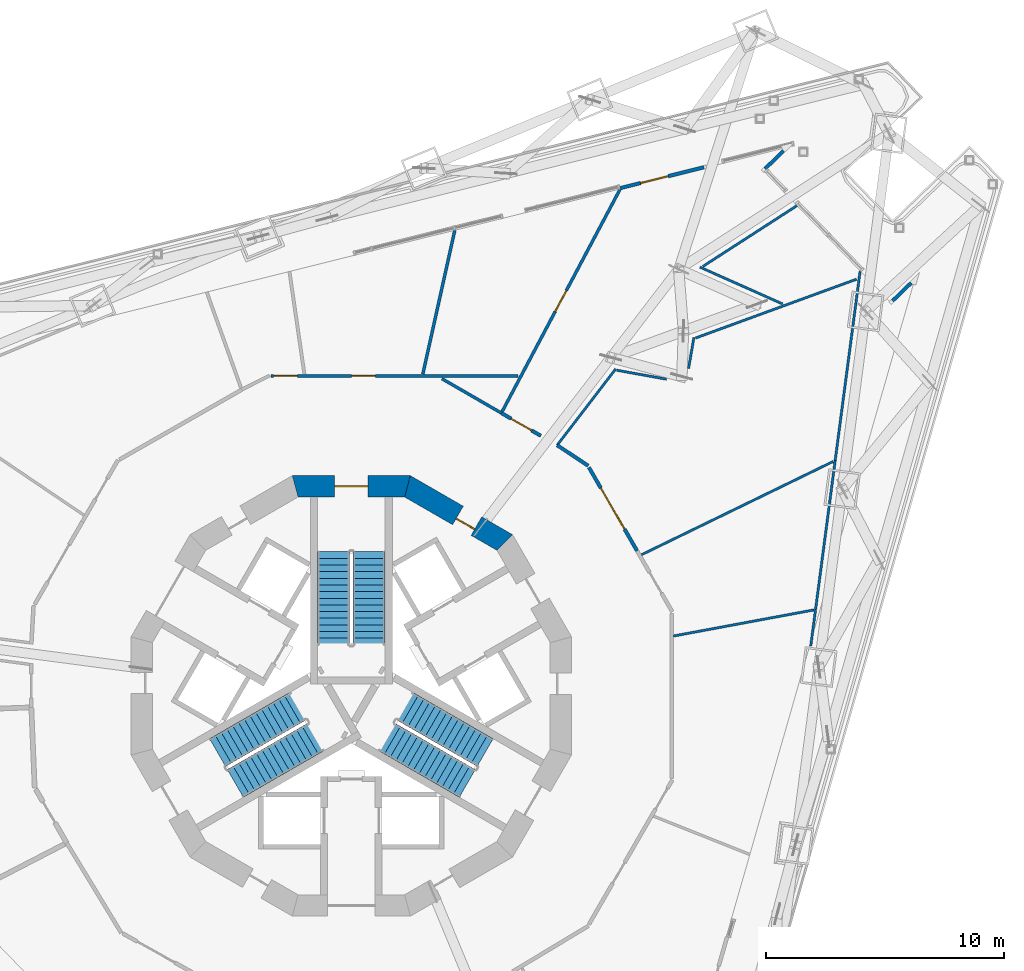
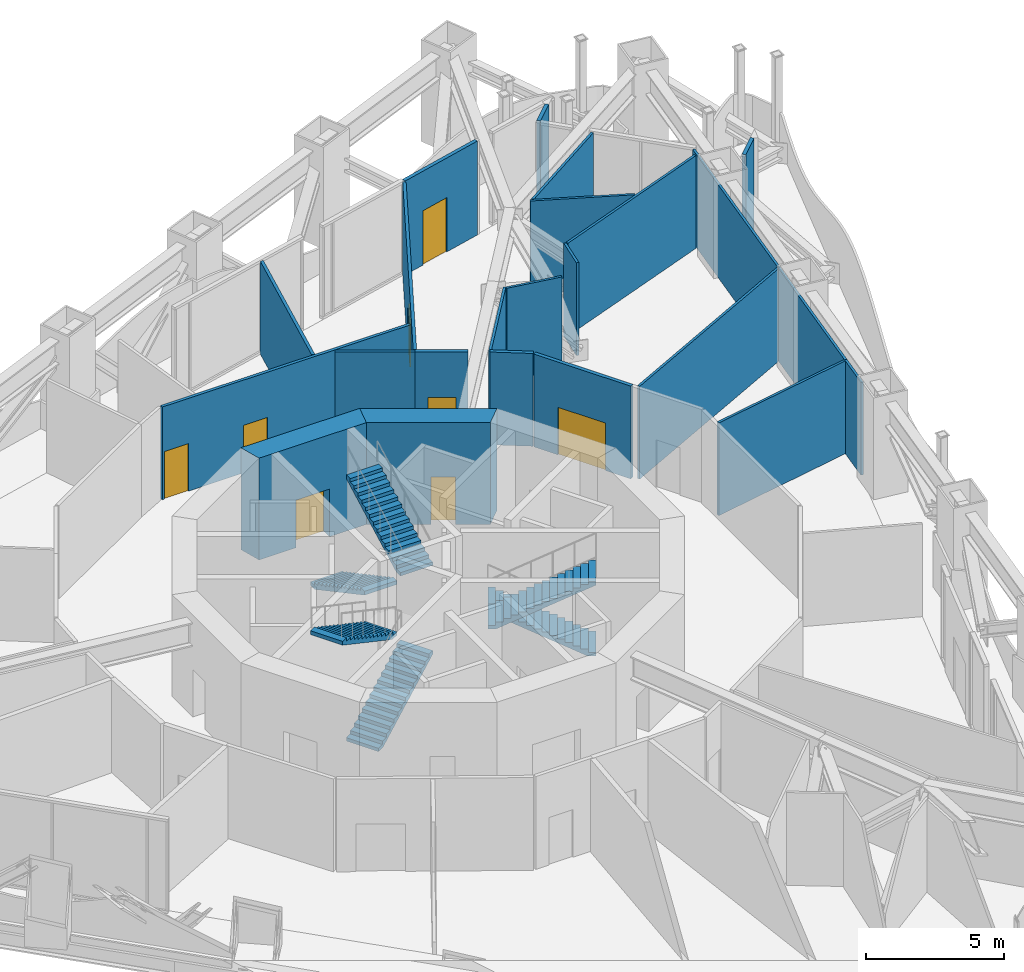
# One storey, part 15 of 26: 23 walls, 8 doors, 6 stair flights, 8 openings, 3 elements without a shape of their own.
"""IFC4 building model written with IfcOpenShell, lengths in metres."""

from ifc_helpers import new_model, si_unit, direction, frame, frame_2d, origin, place, context, subcontext, project, spatial, polyline, rectangle, outline, extrude, material, layer, layer_set, type_object, element, fill, aggregate, save


model = new_model("IFC4")

# Units and contexts
model_context = context("Model", 3, precision=1e-05, world=origin(), true_north=direction((0.0, 1.0)))
body_context = subcontext(model_context, "Body", "Model", "MODEL_VIEW")
ifc_project = project(units=[si_unit("LENGTHUNIT", "METRE"), si_unit("AREAUNIT", "SQUARE_METRE"), si_unit("VOLUMEUNIT", "CUBIC_METRE"), si_unit("PLANEANGLEUNIT", "RADIAN"), si_unit("MASSUNIT", "GRAM", prefix="KILO")], contexts=[model_context])

# Site, building, storey
site_placement = place(None, origin())
site = spatial("IfcSite", under=ifc_project, at=site_placement, CompositionType="ELEMENT")
building_placement = place(site_placement, origin())
building = spatial("IfcBuilding", under=site, at=building_placement, Name="Trine Commons Tower", CompositionType="ELEMENT")
storey_placement = place(building_placement, frame((0.0, 0.0, 119.699951171875)))
storey = spatial("IfcBuildingStorey", under=building, at=storey_placement, Name="L30", CompositionType="ELEMENT", Elevation=119.699951171875)

# Wall, opening, door
ifc_material_1 = material(Name="Plasterboard on steel stud", Category="steel")
ifc_layer_1 = layer(ifc_material_1, 0.14990234375)
ifc_layer_set_1 = layer_set([ifc_layer_1], Name="Plasterboard on steel stud")
wall_type_1 = type_object("IfcWallType", Name="Compartment wall 150 mm, EI 60", PredefinedType="PARTITIONING", material=ifc_layer_set_1)
wall_1_placement = place(storey_placement, frame((86.317138671875, 74.409912109375, 0.0), z_axis=(0.0, 0.0, 1.0), x_axis=(0.866066996022, -0.49992795321, 0.0)))
wall_1 = element("IfcWall", 1, at=wall_1_placement, inside=storey, type_object=wall_type_1, Name="Partition A30046", PredefinedType="PARTITIONING", context=body_context, shape_type="SweptSolid", body=[
    extrude(rectangle(XDim=1.919677734375, YDim=0.14990234375, at=frame_2d((0.9599609375, 0.0))), origin(), (0.0, 0.0, 1.0), 4.10009765625),
])
opening_1_placement = place(wall_1_placement, frame((0.477783203125, 0.0, 0.0)))
opening_1 = element("IfcOpeningElement", 2, at=opening_1_placement, cuts=wall_1, Name="Opening D-A3012", PredefinedType="OPENING", context=body_context, shape_type="SweptSolid", body=[
    extrude(rectangle(XDim=1.0, YDim=2.10009765625, at=frame_2d((0.5, 1.050048828125))), frame((0.0, 0.0849609375, 0.0), z_axis=(0.0, -1.0, 0.0), x_axis=(1.0, 0.0, 0.0)), (0.0, 0.0, 1.0), 0.169921875),
])
ifc_material_2 = material(Name="Timber fire door set", Category="wood")
door_type_1 = type_object("IfcDoorType", Name="Double swing door 1000x2100, FD30S", OperationType="DOUBLE_DOOR_DOUBLE_SWING", PredefinedType="DOOR", material=ifc_material_2)
door_1_placement = place(opening_1_placement, origin())
door_1 = element("IfcDoor", 3, at=door_1_placement, inside=storey, type_object=door_type_1, Name="Door D-A3012", OperationType="DOUBLE_DOOR_DOUBLE_SWING", OverallHeight=2.10009765625, OverallWidth=1.0, PredefinedType="DOOR", context=body_context, shape_type="SweptSolid", body=[
    extrude(rectangle(XDim=1.0, YDim=2.10009765625, at=frame_2d((0.5, 1.050048828125))), frame((0.0, 0.02490234375, 0.0), z_axis=(0.0, -1.0, 0.0), x_axis=(1.0, 0.0, 0.0)), (0.0, 0.0, 1.0), 0.050048828125),
])
fill(opening_1, door_1)

# Wall
wall_2_placement = place(storey_placement, frame((88.66552734375, 73.05419921875, 0.0), z_axis=(0.0, 0.0, 1.0), x_axis=(0.834262705659, -0.551367153489, 0.0)))
element("IfcWall", 4, at=wall_2_placement, inside=storey, type_object=wall_type_1, Name="Partition A30050", PredefinedType="PARTITIONING", context=body_context, shape_type="SweptSolid", body=[
    extrude(rectangle(XDim=1.57421875, YDim=0.14990234375, at=frame_2d((0.787109375, 0.0))), origin(), (0.0, 0.0, 1.0), 4.10009765625),
])

# Wall, opening, door
wall_3_placement = place(storey_placement, frame((92.03173828125, 68.606201171875, 0.0), z_axis=(0.0, 0.0, 1.0), x_axis=(-0.500027986443, 0.866009245201, 0.0)))
wall_3 = element("IfcWall", 5, at=wall_3_placement, inside=storey, type_object=wall_type_1, Name="Partition A30054", PredefinedType="PARTITIONING", context=body_context, shape_type="SweptSolid", body=[
    extrude(rectangle(XDim=4.057861328125, YDim=0.14990234375, at=frame_2d((2.02880859375, 0.0))), origin(), (0.0, 0.0, 1.0), 4.10009765625),
])
opening_2_placement = place(wall_3_placement, frame((1.054931640625, 0.0, 0.0)))
opening_2 = element("IfcOpeningElement", 6, at=opening_2_placement, cuts=wall_3, Name="Opening D-A3016", PredefinedType="OPENING", context=body_context, shape_type="SweptSolid", body=[
    extrude(rectangle(XDim=2.0, YDim=2.10009765625, at=frame_2d((1.0, 1.050048828125))), frame((0.0, 0.0849609375, 0.0), z_axis=(0.0, -1.0, 0.0), x_axis=(1.0, 0.0, 0.0)), (0.0, 0.0, 1.0), 0.169921875),
])
door_type_2 = type_object("IfcDoorType", Name="Double swing door 2000x2100, FD30S", OperationType="DOUBLE_DOOR_DOUBLE_SWING", PredefinedType="DOOR", material=ifc_material_2)
door_2_placement = place(opening_2_placement, origin())
door_2 = element("IfcDoor", 7, at=door_2_placement, inside=storey, type_object=door_type_2, Name="Door D-A3016", OperationType="DOUBLE_DOOR_DOUBLE_SWING", OverallHeight=2.10009765625, OverallWidth=2.0, PredefinedType="DOOR", context=body_context, shape_type="SweptSolid", body=[
    extrude(rectangle(XDim=2.0, YDim=2.10009765625, at=frame_2d((1.0, 1.050048828125))), frame((0.0, 0.02490234375, 0.0), z_axis=(0.0, -1.0, 0.0), x_axis=(1.0, 0.0, 0.0)), (0.0, 0.0, 1.0), 0.050048828125),
])
fill(opening_2, door_2)

ifc_material_3 = material(Name="Aluminium-framed insulated wall panel", Category="aluminium")
ifc_layer_2 = layer(ifc_material_3, 0.14990234375)
ifc_layer_set_2 = layer_set([ifc_layer_2], Name="Aluminium-framed insulated wall panel")
wall_type_2 = type_object("IfcWallType", Name="Glazed entrance wall 150, EI 60", PredefinedType="SOLIDWALL", material=ifc_layer_set_2)
wall_4_placement = place(storey_placement, frame((91.31201171875, 83.87548828125, 0.0), z_axis=(0.0, 0.0, 1.0), x_axis=(0.970300138937, 0.241904196696, 0.0)))
wall_4 = element("IfcWall", 8, at=wall_4_placement, inside=storey, type_object=wall_type_2, Name="Glazed entrance wall L30 F1 12", PredefinedType="SOLIDWALL", context=body_context, shape_type="SweptSolid", body=[
    extrude(rectangle(XDim=3.639404296875, YDim=0.14990234375, at=frame_2d((1.81982421875, 0.0))), origin(), (0.0, 0.0, 1.0), 4.150146484375),
])
opening_3_placement = place(wall_4_placement, frame((0.89404296875, 0.0, 0.0)))
opening_3 = element("IfcOpeningElement", 9, at=opening_3_placement, cuts=wall_4, Name="Opening SD-L30-F1-12", PredefinedType="OPENING", context=body_context, shape_type="SweptSolid", body=[
    extrude(rectangle(XDim=1.199951171875, YDim=2.39990234375, at=frame_2d((0.60009765625, 1.199951171875))), frame((0.0, 0.0849609375, 0.0), z_axis=(0.0, -1.0, 0.0), x_axis=(1.0, 0.0, 0.0)), (0.0, 0.0, 1.0), 0.169921875),
])
ifc_material_4 = material(Name="Anodised aluminium frame with double glazing", Category="aluminium")
door_type_3 = type_object("IfcDoorType", Name="Sliding door 1200x2400", OperationType="SLIDING_TO_LEFT", PredefinedType="DOOR", material=ifc_material_4)
door_3_placement = place(opening_3_placement, origin())
door_3 = element("IfcDoor", 10, at=door_3_placement, inside=storey, type_object=door_type_3, Name="Loggia door L30 F1 12", OperationType="SLIDING_TO_LEFT", OverallHeight=2.39990234375, OverallWidth=1.199951171875, PredefinedType="DOOR", context=body_context, shape_type="SweptSolid", body=[
    extrude(rectangle(XDim=1.199951171875, YDim=2.39990234375, at=frame_2d((0.60009765625, 1.199951171875))), frame((0.0, 0.02490234375, 0.0), z_axis=(0.0, -1.0, 0.0), x_axis=(1.0, 0.0, 0.0)), (0.0, 0.0, 1.0), 0.050048828125),
])
fill(opening_3, door_3)

# Walls
ifc_layer_3 = layer(ifc_material_3, 0.14990234375)
ifc_layer_set_3 = layer_set([ifc_layer_3], Name="Aluminium-framed insulated wall panel")
wall_type_3 = type_object("IfcWallType", Name="Glazed frame wall 150, EI 60", PredefinedType="SOLIDWALL", material=ifc_layer_set_3)
wall_5_placement = place(storey_placement, frame((98.3076171875, 85.552490234375, 0.0), z_axis=(0.0, 0.0, 1.0), x_axis=(-0.719251336278, -0.694749966004, 0.0)))
element("IfcWall", 11, at=wall_5_placement, inside=storey, type_object=wall_type_3, Name="Glazed frame wall L30 R5", PredefinedType="SOLIDWALL", context=body_context, shape_type="SweptSolid", body=[
    extrude(outline(polyline([(0.1494140625, 0.074951171875), (0.1494140625, -0.074951171875), (1.235107421875, -0.074951171875), (1.235107421875, 0.074951171875), (0.1494140625, 0.074951171875)])), origin(), (0.0, 0.0, 1.0), 4.150146484375),
])
wall_6_placement = place(storey_placement, frame((102.709716796875, 79.0576171875, 0.0), z_axis=(0.0, 0.0, 1.0), x_axis=(0.719342032924, 0.694656058542, 0.0)))
element("IfcWall", 12, at=wall_6_placement, inside=storey, type_object=wall_type_3, Name="Glazed frame wall L30 R7", PredefinedType="SOLIDWALL", context=body_context, shape_type="SweptSolid", body=[
    extrude(outline(polyline([(0.110107421875, 0.074951171875), (0.110107421875, -0.074951171875), (1.19580078125, -0.074951171875), (1.19580078125, 0.074951171875), (0.110107421875, 0.074951171875)])), origin(), (0.0, 0.0, 1.0), 4.150146484375),
])
ifc_layer_4 = layer(ifc_material_1, 0.10009765625)
ifc_layer_set_4 = layer_set([ifc_layer_4], Name="Plasterboard on steel stud")
wall_type_4 = type_object("IfcWallType", Name="Partition wall 100 mm stud, not rated", PredefinedType="PARTITIONING", material=ifc_layer_set_4)
wall_7_placement = place(storey_placement, frame((88.666748046875, 73.0556640625, 0.0), z_axis=(0.0, 0.0, 1.0), x_axis=(0.608781758602, 0.793337740432, 0.0)))
element("IfcWall", 13, at=wall_7_placement, inside=storey, type_object=wall_type_4, Name="Partition A30051", PredefinedType="PARTITIONING", context=body_context, shape_type="SweptSolid", body=[
    extrude(rectangle(XDim=4.05322265625, YDim=0.10009765625, at=frame_2d((2.026611328125, 0.0))), origin(), (0.0, 0.0, 1.0), 4.10009765625),
])
wall_8_placement = place(storey_placement, frame((91.176025390625, 76.212158203125, 0.0), z_axis=(0.0, 0.0, 1.0), x_axis=(0.984164114831, -0.177259682608, 0.0)))
element("IfcWall", 14, at=wall_8_placement, inside=storey, type_object=wall_type_4, Name="Partition A30056", PredefinedType="PARTITIONING", context=body_context, shape_type="SweptSolid", body=[
    extrude(rectangle(XDim=2.1279296875, YDim=0.10009765625, at=frame_2d((1.06396484375, 0.0))), origin(), (0.0, 0.0, 1.0), 4.10009765625),
])
wall_9_placement = place(storey_placement, frame((92.216552734375, 68.443359375, 0.0), z_axis=(0.0, 0.0, 1.0), x_axis=(0.899237980828, 0.437459773963, 0.0)))
element("IfcWall", 15, at=wall_9_placement, inside=storey, type_object=wall_type_4, Name="Partition A30057", PredefinedType="PARTITIONING", context=body_context, shape_type="SweptSolid", body=[
    extrude(rectangle(XDim=8.97509765625, YDim=0.10009765625, at=frame_2d((4.487548828125, 0.0))), origin(), (0.0, 0.0, 1.0), 4.10009765625),
])
wall_10_placement = place(storey_placement, frame((93.55712890625, 65.019775390625, 0.0), z_axis=(0.0, 0.0, 1.0), x_axis=(0.983159710753, 0.182748414912, 0.0)))
element("IfcWall", 16, at=wall_10_placement, inside=storey, type_object=wall_type_4, Name="Partition A30060", PredefinedType="PARTITIONING", context=body_context, shape_type="SweptSolid", body=[
    extrude(rectangle(XDim=6.02099609375, YDim=0.10009765625, at=frame_2d((3.010498046875, 0.0))), origin(), (0.0, 0.0, 1.0), 4.10009765625),
])
wall_11_placement = place(storey_placement, frame((94.197998046875, 76.28759765625, 0.0), z_axis=(0.0, 0.0, 1.0), x_axis=(0.170648215148, 0.985332018493, 0.0)))
element("IfcWall", 17, at=wall_11_placement, inside=storey, type_object=wall_type_4, Name="Partition A30061", PredefinedType="PARTITIONING", context=body_context, shape_type="SweptSolid", body=[
    extrude(rectangle(XDim=1.323486328125, YDim=0.10009765625, at=frame_2d((0.66162109375, 0.0))), origin(), (0.0, 0.0, 1.0), 4.10009765625),
])
wall_12_placement = place(storey_placement, frame((94.49169921875, 77.56689453125, 0.0), z_axis=(0.0, 0.0, 1.0), x_axis=(0.939241232052, 0.343257786531, 0.0)))
element("IfcWall", 18, at=wall_12_placement, inside=storey, type_object=wall_type_4, Name="Partition A30062", PredefinedType="PARTITIONING", context=body_context, shape_type="SweptSolid", body=[
    extrude(rectangle(XDim=7.21923828125, YDim=0.10009765625, at=frame_2d((3.609619140625, 0.0))), origin(), (0.0, 0.0, 1.0), 4.10009765625),
])
wall_13_placement = place(storey_placement, frame((94.677001953125, 80.55224609375, 0.0), z_axis=(0.0, 0.0, 1.0), x_axis=(0.913470080211, -0.406905901358, 0.0)))
element("IfcWall", 19, at=wall_13_placement, inside=storey, type_object=wall_type_4, Name="Partition A30063", PredefinedType="PARTITIONING", context=body_context, shape_type="SweptSolid", body=[
    extrude(rectangle(XDim=3.806884765625, YDim=0.10009765625, at=frame_2d((1.9033203125, 0.0))), origin(), (0.0, 0.0, 1.0), 4.10009765625),
])
wall_14_placement = place(storey_placement, frame((94.80029296875, 80.58203125, 0.0), z_axis=(0.0, 0.0, 1.0), x_axis=(0.840043308702, 0.542519344821, 0.0)))
element("IfcWall", 20, at=wall_14_placement, inside=storey, type_object=wall_type_4, Name="Partition A30064", PredefinedType="PARTITIONING", context=body_context, shape_type="SweptSolid", body=[
    extrude(rectangle(XDim=4.717529296875, YDim=0.10009765625, at=frame_2d((2.35888671875, 0.0))), origin(), (0.0, 0.0, 1.0), 4.10009765625),
])
wall_15_placement = place(storey_placement, frame((99.34326171875, 64.604248046875, 0.0), z_axis=(0.0, 0.0, 1.0), x_axis=(0.130511942543, 0.991446737275, 0.0)))
element("IfcWall", 21, at=wall_15_placement, inside=storey, type_object=wall_type_4, Name="Partition A30065", PredefinedType="PARTITIONING", context=body_context, shape_type="SweptSolid", body=[
    extrude(rectangle(XDim=1.53955078125, YDim=0.10009765625, at=frame_2d((0.769775390625, 0.0))), origin(), (0.0, 0.0, 1.0), 4.10009765625),
])
wall_16_placement = place(storey_placement, frame((99.544921875, 66.134521484375, 0.0), z_axis=(0.0, 0.0, 1.0), x_axis=(0.130490443494, 0.991449567127, 0.0)))
element("IfcWall", 22, at=wall_16_placement, inside=storey, type_object=wall_type_4, Name="Partition A30066", PredefinedType="PARTITIONING", context=body_context, shape_type="SweptSolid", body=[
    extrude(rectangle(XDim=6.32763671875, YDim=0.10009765625, at=frame_2d((3.163818359375, 0.0))), origin(), (0.0, 0.0, 1.0), 4.10009765625),
])
wall_17_placement = place(storey_placement, frame((100.371337890625, 72.412353515625, 0.0), z_axis=(0.0, 0.0, 1.0), x_axis=(0.130519667088, 0.991445720402, 0.0)))
element("IfcWall", 23, at=wall_17_placement, inside=storey, type_object=wall_type_4, Name="Partition A30067", PredefinedType="PARTITIONING", context=body_context, shape_type="SweptSolid", body=[
    extrude(rectangle(XDim=8.045166015625, YDim=0.10009765625, at=frame_2d((4.0224609375, 0.0))), origin(), (0.0, 0.0, 1.0), 4.10009765625),
])

# Wall, opening, door
ifc_material_5 = material(Name="Concrete C70/85", Category="concrete")
ifc_layer_5 = layer(ifc_material_5, 0.89990234375)
ifc_layer_set_5 = layer_set([ifc_layer_5], Name="Concrete C70/85")
wall_type_5 = type_object("IfcWallType", Name="RC shear wall 900 mm, C70/85", PredefinedType="SHEAR", material=ifc_layer_set_5)
wall_18_placement = place(storey_placement, frame((86.563232421875, 68.8984375, 0.0), z_axis=(0.0, 0.0, 1.0), x_axis=(-0.866003133579, 0.500038571144, 0.0)))
wall_18 = element("IfcWall", 24, at=wall_18_placement, inside=storey, type_object=wall_type_5, Name="Core wall CWD-03 L30", PredefinedType="SHEAR", context=body_context, shape_type="SweptSolid", body=[
    extrude(outline(polyline([(0.0, -0.449951171875), (4.96923828125, -0.449951171875), (4.72802734375, 0.449951171875), (0.2412109375, 0.449951171875), (0.0, -0.449951171875)])), origin(), (0.0, 0.0, 1.0), 4.5),
])
opening_4_placement = place(wall_18_placement, frame((1.49609375, 0.0, 0.0)))
opening_4 = element("IfcOpeningElement", 25, at=opening_4_placement, cuts=wall_18, Name="Opening K09.11", PredefinedType="OPENING", context=body_context, shape_type="SweptSolid", body=[
    extrude(rectangle(XDim=0.89990234375, YDim=2.10009765625, at=frame_2d((0.449951171875, 1.050048828125))), frame((0.0, 0.4599609375, 0.0), z_axis=(0.0, -1.0, 0.0), x_axis=(1.0, 0.0, 0.0)), (0.0, 0.0, 1.0), 0.919921875),
])
ifc_material_6 = material(Name="Steel door leaf, fire-rated", Category="steel")
door_type_4 = type_object("IfcDoorType", Name="Core room door, single leaf 900 x 2100, FD30S", OperationType="SINGLE_SWING_LEFT", PredefinedType="DOOR", material=ifc_material_6)
door_4_placement = place(opening_4_placement, origin())
door_4 = element("IfcDoor", 26, at=door_4_placement, inside=storey, type_object=door_type_4, Name="Door to Accessible WC L30", OperationType="SINGLE_SWING_LEFT", OverallHeight=2.10009765625, OverallWidth=0.89990234375, PredefinedType="DOOR", context=body_context, shape_type="SweptSolid", body=[
    extrude(rectangle(XDim=0.89990234375, YDim=2.10009765625, at=frame_2d((0.449951171875, 1.050048828125))), frame((0.0, 0.1748046875, 0.0), z_axis=(0.0, -1.0, 0.0), x_axis=(1.0, 0.0, 0.0)), (0.0, 0.0, 1.0), 0.050048828125),
])
fill(opening_4, door_4)

wall_19_placement = place(storey_placement, frame((82.484619140625, 71.322998046875, 0.0), z_axis=(0.0, 0.0, 1.0), x_axis=(-1.0, 0.0, 0.0)))
wall_19 = element("IfcWall", 27, at=wall_19_placement, inside=storey, type_object=wall_type_5, Name="Core wall CWD-04 L30", PredefinedType="SHEAR", context=body_context, shape_type="SweptSolid", body=[
    extrude(outline(polyline([(0.0, -0.449951171875), (4.969482421875, -0.449951171875), (4.728271484375, 0.449951171875), (0.2412109375, 0.449951171875), (0.0, -0.449951171875)])), origin(), (0.0, 0.0, 1.0), 4.5),
])
opening_5_placement = place(wall_19_placement, frame((1.78466796875, 0.0, 0.0)))
opening_5 = element("IfcOpeningElement", 28, at=opening_5_placement, cuts=wall_19, Name="Opening K09.01", PredefinedType="OPENING", context=body_context, shape_type="SweptSolid", body=[
    extrude(rectangle(XDim=1.39990234375, YDim=2.10009765625, at=frame_2d((0.699951171875, 1.050048828125))), frame((0.0, 0.4599609375, 0.0), z_axis=(0.0, -1.0, 0.0), x_axis=(1.0, 0.0, 0.0)), (0.0, 0.0, 1.0), 0.919921875),
])
ifc_material_7 = material(Name="Steel door leaves, fire-rated", Category="steel")
door_type_5 = type_object("IfcDoorType", Name="Stair door, double leaf 1400 x 2100, FD90", OperationType="DOUBLE_DOOR_SINGLE_SWING", PredefinedType="DOOR", material=ifc_material_7)
door_5_placement = place(opening_5_placement, origin())
door_5 = element("IfcDoor", 29, at=door_5_placement, inside=storey, type_object=door_type_5, Name="Stair door to Exit stair ST1B L30", OperationType="DOUBLE_DOOR_SINGLE_SWING", OverallHeight=2.10009765625, OverallWidth=1.39990234375, PredefinedType="DOOR", context=body_context, shape_type="SweptSolid", body=[
    extrude(rectangle(XDim=1.39990234375, YDim=2.10009765625, at=frame_2d((0.699951171875, 1.050048828125))), frame((0.0, 0.02490234375, 0.0), z_axis=(0.0, -1.0, 0.0), x_axis=(1.0, 0.0, 0.0)), (0.0, 0.0, 1.0), 0.050048828125),
])
fill(opening_5, door_5)

# Wall, openings, doors
ifc_layer_6 = layer(ifc_material_1, 0.125)
ifc_layer_set_6 = layer_set([ifc_layer_6], Name="Plasterboard on steel stud")
wall_type_6 = type_object("IfcWallType", Name="Wet wall 125 mm stud, not rated", PredefinedType="PARTITIONING", material=ifc_layer_set_6)
wall_20_placement = place(storey_placement, frame((76.623291015625, 75.972900390625, 0.0), z_axis=(0.0, 0.0, 1.0), x_axis=(1.0, 0.0, 0.0)))
wall_20 = element("IfcWall", 30, at=wall_20_placement, inside=storey, type_object=wall_type_6, Name="Partition A30028", PredefinedType="PARTITIONING", context=body_context, shape_type="SweptSolid", body=[
    extrude(rectangle(XDim=10.392578125, YDim=0.125, at=frame_2d((5.1962890625, 0.0))), origin(), (0.0, 0.0, 1.0), 4.10009765625),
])
opening_6_placement = place(wall_20_placement, frame((0.10009765625, 0.0, 0.0)))
opening_6 = element("IfcOpeningElement", 31, at=opening_6_placement, cuts=wall_20, Name="Opening D-A3007", PredefinedType="OPENING", context=body_context, shape_type="SweptSolid", body=[
    extrude(rectangle(XDim=1.0, YDim=2.10009765625, at=frame_2d((0.5, 1.050048828125))), frame((0.0, 0.072509765625, 0.0), z_axis=(0.0, -1.0, 0.0), x_axis=(1.0, 0.0, 0.0)), (0.0, 0.0, 1.0), 0.14501953125),
])
opening_7_placement = place(wall_20_placement, frame((3.391357421875, 0.0, 0.0)))
opening_7 = element("IfcOpeningElement", 32, at=opening_7_placement, cuts=wall_20, Name="Opening D-A3008", PredefinedType="OPENING", context=body_context, shape_type="SweptSolid", body=[
    extrude(rectangle(XDim=1.0, YDim=2.10009765625, at=frame_2d((0.5, 1.050048828125))), frame((0.0, 0.072509765625, 0.0), z_axis=(0.0, -1.0, 0.0), x_axis=(1.0, 0.0, 0.0)), (0.0, 0.0, 1.0), 0.14501953125),
])
ifc_material_8 = material(Name="Painted timber", Category="wood")
door_type_6 = type_object("IfcDoorType", Name="Single swing door 1000x2100, not rated", OperationType="SINGLE_SWING_LEFT", PredefinedType="DOOR", material=ifc_material_8)
door_6_placement = place(opening_6_placement, origin())
door_6 = element("IfcDoor", 33, at=door_6_placement, inside=storey, type_object=door_type_6, Name="Door D-A3007", OperationType="SINGLE_SWING_LEFT", OverallHeight=2.10009765625, OverallWidth=1.0, PredefinedType="DOOR", context=body_context, shape_type="SweptSolid", body=[
    extrude(rectangle(XDim=1.0, YDim=2.10009765625, at=frame_2d((0.5, 1.050048828125))), frame((0.0, 0.02490234375, 0.0), z_axis=(0.0, -1.0, 0.0), x_axis=(1.0, 0.0, 0.0)), (0.0, 0.0, 1.0), 0.050048828125),
])
fill(opening_6, door_6)
door_7_placement = place(opening_7_placement, origin())
door_7 = element("IfcDoor", 34, at=door_7_placement, inside=storey, type_object=door_type_6, Name="Door D-A3008", OperationType="SINGLE_SWING_LEFT", OverallHeight=2.10009765625, OverallWidth=1.0, PredefinedType="DOOR", context=body_context, shape_type="SweptSolid", body=[
    extrude(rectangle(XDim=1.0, YDim=2.10009765625, at=frame_2d((0.5, 1.050048828125))), frame((0.0, 0.02490234375, 0.0), z_axis=(0.0, -1.0, 0.0), x_axis=(1.0, 0.0, 0.0)), (0.0, 0.0, 1.0), 0.050048828125),
])
fill(opening_7, door_7)

# Walls
wall_21_placement = place(storey_placement, frame((83.01123046875, 76.048828125, 0.0), z_axis=(0.0, 0.0, 1.0), x_axis=(0.21693462425, 0.976186134301, 0.0)))
element("IfcWall", 35, at=wall_21_placement, inside=storey, type_object=wall_type_6, Name="Partition A30036", PredefinedType="PARTITIONING", context=body_context, shape_type="SweptSolid", body=[
    extrude(rectangle(XDim=6.204345703125, YDim=0.125, at=frame_2d((3.10205078125, 0.0))), origin(), (0.0, 0.0, 1.0), 4.10009765625),
])
wall_22_placement = place(storey_placement, frame((83.81201171875, 75.856201171875, 0.0), z_axis=(0.0, 0.0, 1.0), x_axis=(0.86603803935, -0.499978113919, 0.0)))
element("IfcWall", 36, at=wall_22_placement, inside=storey, type_object=wall_type_6, Name="Partition A30038", PredefinedType="PARTITIONING", context=body_context, shape_type="SweptSolid", body=[
    extrude(rectangle(XDim=2.893310546875, YDim=0.125, at=frame_2d((1.44677734375, 0.0))), origin(), (0.0, 0.0, 1.0), 4.10009765625),
])

# Wall, opening, door
wall_23_placement = place(storey_placement, frame((91.3203125, 83.841552734375, 0.0), z_axis=(0.0, 0.0, 1.0), x_axis=(-0.468579716111, -0.8834212187, 0.0)))
wall_23 = element("IfcWall", 37, at=wall_23_placement, inside=storey, type_object=wall_type_6, Name="Partition A30047", PredefinedType="PARTITIONING", context=body_context, shape_type="SweptSolid", body=[
    extrude(rectangle(XDim=10.59912109375, YDim=0.125, at=frame_2d((5.299560546875, 0.0))), origin(), (0.0, 0.0, 1.0), 4.10009765625),
])
opening_8_placement = place(wall_23_placement, frame((4.838134765625, 0.0, 0.0)))
opening_8 = element("IfcOpeningElement", 38, at=opening_8_placement, cuts=wall_23, Name="Opening D-A3013", PredefinedType="OPENING", context=body_context, shape_type="SweptSolid", body=[
    extrude(rectangle(XDim=1.0, YDim=2.10009765625, at=frame_2d((0.5, 1.050048828125))), frame((0.0, 0.072509765625, 0.0), z_axis=(0.0, -1.0, 0.0), x_axis=(1.0, 0.0, 0.0)), (0.0, 0.0, 1.0), 0.14501953125),
])
door_8_placement = place(opening_8_placement, origin())
door_8 = element("IfcDoor", 39, at=door_8_placement, inside=storey, type_object=door_type_6, Name="Door D-A3013", OperationType="SINGLE_SWING_LEFT", OverallHeight=2.10009765625, OverallWidth=1.0, PredefinedType="DOOR", context=body_context, shape_type="SweptSolid", body=[
    extrude(rectangle(XDim=1.0, YDim=2.10009765625, at=frame_2d((0.5, 1.050048828125))), frame((0.0, 0.02490234375, 0.0), z_axis=(0.0, -1.0, 0.0), x_axis=(1.0, 0.0, 0.0)), (0.0, 0.0, 1.0), 0.050048828125),
])
fill(opening_8, door_8)

# Stair, stair flights
ifc_material_9 = material(Name="Concrete C50/60", Category="concrete")
stair_type = type_object("IfcStairType", Name="Exit stair, dog-leg, 30 risers of 150 mm", PredefinedType="HALF_TURN_STAIR", material=ifc_material_9)
stair_1_placement = place(storey_placement, origin())
stair_1 = element("IfcStair", 40, at=stair_1_placement, inside=storey, type_object=stair_type, Name="L30 Exit stair ST1B", PredefinedType="HALF_TURN_STAIR")
stair_flight_type = type_object("IfcStairFlightType", Name="Stair flight, 1350 wide, 15 risers of 150 mm", PredefinedType="STRAIGHT", material=ifc_material_9)
stair_flight_1_placement = place(storey_placement, frame((79.25, 68.570556640625, 0.0), z_axis=(0.0, 0.0, 1.0), x_axis=(0.0, -1.0, 0.0)))
stair_flight_1 = element("IfcStairFlight", 41, at=stair_flight_1_placement, type_object=stair_flight_type, Name="ST1B flight 1", NumberOfRisers=15, NumberOfTreads=14, PredefinedType="STRAIGHT", RiserHeight=0.15, TreadLength=0.28, context=body_context, shape_type="SweptSolid", body=[
    extrude(outline(polyline([(0.0, 0.0), (0.0, 0.14990234375), (0.280029296875, 0.14990234375), (0.280029296875, 0.300048828125), (0.56005859375, 0.300048828125), (0.56005859375, 0.449951171875), (0.840087890625, 0.449951171875), (0.840087890625, 0.60009765625), (1.1201171875, 0.60009765625), (1.1201171875, 0.75), (1.39990234375, 0.75), (1.39990234375, 0.89990234375), (1.679931640625, 0.89990234375), (1.679931640625, 1.050048828125), (1.9599609375, 1.050048828125), (1.9599609375, 1.199951171875), (2.239990234375, 1.199951171875), (2.239990234375, 1.35009765625), (2.52001953125, 1.35009765625), (2.52001953125, 1.5), (2.800048828125, 1.5), (2.800048828125, 1.64990234375), (3.080078125, 1.64990234375), (3.080078125, 1.800048828125), (3.360107421875, 1.800048828125), (3.360107421875, 1.949951171875), (3.639892578125, 1.949951171875), (3.639892578125, 2.10009765625), (3.919921875, 2.10009765625), (3.919921875, 2.25), (3.919921875, 1.929931640625), (0.3173828125, 0.0), (0.0, 0.0)])), frame((0.0, 0.675048828125, 0.0), z_axis=(0.0, -1.0, 0.0), x_axis=(1.0, 0.0, 0.0)), (0.0, 0.0, 1.0), 1.35009765625),
])
stair_flight_2_placement = place(storey_placement, frame((80.75, 64.650634765625, 2.25), z_axis=(0.0, 0.0, 1.0), x_axis=(0.0, 1.0, 0.0)))
stair_flight_2 = element("IfcStairFlight", 42, at=stair_flight_2_placement, type_object=stair_flight_type, Name="ST1B flight 2", NumberOfRisers=15, NumberOfTreads=14, PredefinedType="STRAIGHT", RiserHeight=0.15, TreadLength=0.28, context=body_context, shape_type="SweptSolid", body=[
    extrude(outline(polyline([(0.0, 0.0), (0.0, 0.14990234375), (0.280029296875, 0.14990234375), (0.280029296875, 0.300048828125), (0.56005859375, 0.300048828125), (0.56005859375, 0.449951171875), (0.840087890625, 0.449951171875), (0.840087890625, 0.60009765625), (1.1201171875, 0.60009765625), (1.1201171875, 0.75), (1.39990234375, 0.75), (1.39990234375, 0.89990234375), (1.679931640625, 0.89990234375), (1.679931640625, 1.050048828125), (1.9599609375, 1.050048828125), (1.9599609375, 1.199951171875), (2.239990234375, 1.199951171875), (2.239990234375, 1.35009765625), (2.52001953125, 1.35009765625), (2.52001953125, 1.5), (2.800048828125, 1.5), (2.800048828125, 1.64990234375), (3.080078125, 1.64990234375), (3.080078125, 1.800048828125), (3.360107421875, 1.800048828125), (3.360107421875, 1.949951171875), (3.639892578125, 1.949951171875), (3.639892578125, 2.10009765625), (3.919921875, 2.10009765625), (3.919921875, 2.25), (3.919921875, 1.929931640625), (0.3173828125, 0.0), (0.0, 0.0)])), frame((0.0, 0.675048828125, 0.0), z_axis=(0.0, -1.0, 0.0), x_axis=(1.0, 0.0, 0.0)), (0.0, 0.0, 1.0), 1.35009765625),
])
aggregate(stair_1, [stair_flight_1, stair_flight_2])

stair_2_placement = place(storey_placement, origin())
stair_2 = element("IfcStair", 43, at=stair_2_placement, inside=storey, type_object=stair_type, Name="L30 Exit stair ST2B", PredefinedType="HALF_TURN_STAIR")
stair_flight_3_placement = place(storey_placement, frame((75.11767578125, 58.815185546875, 0.0), z_axis=(0.0, 0.0, 1.0), x_axis=(0.866025403784, 0.5, 0.0)))
stair_flight_3 = element("IfcStairFlight", 44, at=stair_flight_3_placement, type_object=stair_flight_type, Name="ST2B flight 1", NumberOfRisers=15, NumberOfTreads=14, PredefinedType="STRAIGHT", RiserHeight=0.15, TreadLength=0.28, context=body_context, shape_type="SweptSolid", body=[
    extrude(outline(polyline([(0.0, 0.0), (0.0, 0.14990234375), (0.280029296875, 0.14990234375), (0.280029296875, 0.300048828125), (0.56005859375, 0.300048828125), (0.56005859375, 0.449951171875), (0.840087890625, 0.449951171875), (0.840087890625, 0.60009765625), (1.1201171875, 0.60009765625), (1.1201171875, 0.75), (1.39990234375, 0.75), (1.39990234375, 0.89990234375), (1.679931640625, 0.89990234375), (1.679931640625, 1.050048828125), (1.9599609375, 1.050048828125), (1.9599609375, 1.199951171875), (2.239990234375, 1.199951171875), (2.239990234375, 1.35009765625), (2.52001953125, 1.35009765625), (2.52001953125, 1.5), (2.800048828125, 1.5), (2.800048828125, 1.64990234375), (3.080078125, 1.64990234375), (3.080078125, 1.800048828125), (3.360107421875, 1.800048828125), (3.360107421875, 1.949951171875), (3.639892578125, 1.949951171875), (3.639892578125, 2.10009765625), (3.919921875, 2.10009765625), (3.919921875, 2.25), (3.919921875, 1.929931640625), (0.3173828125, 0.0), (0.0, 0.0)])), frame((0.0, 0.675048828125, 0.0), z_axis=(0.0, -1.0, 0.0), x_axis=(1.0, 0.0, 0.0)), (0.0, 0.0, 1.0), 1.35009765625),
])
stair_flight_4_placement = place(storey_placement, frame((77.762451171875, 62.07421875, 2.25), z_axis=(0.0, 0.0, 1.0), x_axis=(-0.866025403784, -0.5, 0.0)))
stair_flight_4 = element("IfcStairFlight", 45, at=stair_flight_4_placement, type_object=stair_flight_type, Name="ST2B flight 2", NumberOfRisers=15, NumberOfTreads=14, PredefinedType="STRAIGHT", RiserHeight=0.15, TreadLength=0.28, context=body_context, shape_type="SweptSolid", body=[
    extrude(outline(polyline([(0.0, 0.0), (0.0, 0.14990234375), (0.280029296875, 0.14990234375), (0.280029296875, 0.300048828125), (0.56005859375, 0.300048828125), (0.56005859375, 0.449951171875), (0.840087890625, 0.449951171875), (0.840087890625, 0.60009765625), (1.1201171875, 0.60009765625), (1.1201171875, 0.75), (1.39990234375, 0.75), (1.39990234375, 0.89990234375), (1.679931640625, 0.89990234375), (1.679931640625, 1.050048828125), (1.9599609375, 1.050048828125), (1.9599609375, 1.199951171875), (2.239990234375, 1.199951171875), (2.239990234375, 1.35009765625), (2.52001953125, 1.35009765625), (2.52001953125, 1.5), (2.800048828125, 1.5), (2.800048828125, 1.64990234375), (3.080078125, 1.64990234375), (3.080078125, 1.800048828125), (3.360107421875, 1.800048828125), (3.360107421875, 1.949951171875), (3.639892578125, 1.949951171875), (3.639892578125, 2.10009765625), (3.919921875, 2.10009765625), (3.919921875, 2.25), (3.919921875, 1.929931640625), (0.3173828125, 0.0), (0.0, 0.0)])), frame((0.0, 0.675048828125, 0.0), z_axis=(0.0, -1.0, 0.0), x_axis=(1.0, 0.0, 0.0)), (0.0, 0.0, 1.0), 1.35009765625),
])
aggregate(stair_2, [stair_flight_3, stair_flight_4])

stair_3_placement = place(storey_placement, origin())
stair_3 = element("IfcStair", 46, at=stair_3_placement, inside=storey, type_object=stair_type, Name="L30 Exit stair ST3B", PredefinedType="HALF_TURN_STAIR")
stair_flight_5_placement = place(storey_placement, frame((85.63232421875, 60.1142578125, 0.0), z_axis=(0.0, 0.0, 1.0), x_axis=(-0.866025403784, 0.5, 0.0)))
stair_flight_5 = element("IfcStairFlight", 47, at=stair_flight_5_placement, type_object=stair_flight_type, Name="ST3B flight 1", NumberOfRisers=15, NumberOfTreads=14, PredefinedType="STRAIGHT", RiserHeight=0.15, TreadLength=0.28, context=body_context, shape_type="SweptSolid", body=[
    extrude(outline(polyline([(0.0, 0.0), (0.0, 0.14990234375), (0.280029296875, 0.14990234375), (0.280029296875, 0.300048828125), (0.56005859375, 0.300048828125), (0.56005859375, 0.449951171875), (0.840087890625, 0.449951171875), (0.840087890625, 0.60009765625), (1.1201171875, 0.60009765625), (1.1201171875, 0.75), (1.39990234375, 0.75), (1.39990234375, 0.89990234375), (1.679931640625, 0.89990234375), (1.679931640625, 1.050048828125), (1.9599609375, 1.050048828125), (1.9599609375, 1.199951171875), (2.239990234375, 1.199951171875), (2.239990234375, 1.35009765625), (2.52001953125, 1.35009765625), (2.52001953125, 1.5), (2.800048828125, 1.5), (2.800048828125, 1.64990234375), (3.080078125, 1.64990234375), (3.080078125, 1.800048828125), (3.360107421875, 1.800048828125), (3.360107421875, 1.949951171875), (3.639892578125, 1.949951171875), (3.639892578125, 2.10009765625), (3.919921875, 2.10009765625), (3.919921875, 2.25), (3.919921875, 1.929931640625), (0.3173828125, 0.0), (0.0, 0.0)])), frame((0.0, 0.675048828125, 0.0), z_axis=(0.0, -1.0, 0.0), x_axis=(1.0, 0.0, 0.0)), (0.0, 0.0, 1.0), 1.35009765625),
])
stair_flight_6_placement = place(storey_placement, frame((81.487548828125, 60.775146484375, 2.25), z_axis=(0.0, 0.0, 1.0), x_axis=(0.866025403784, -0.5, 0.0)))
stair_flight_6 = element("IfcStairFlight", 48, at=stair_flight_6_placement, type_object=stair_flight_type, Name="ST3B flight 2", NumberOfRisers=15, NumberOfTreads=14, PredefinedType="STRAIGHT", RiserHeight=0.15, TreadLength=0.28, context=body_context, shape_type="SweptSolid", body=[
    extrude(outline(polyline([(0.0, 0.0), (0.0, 0.14990234375), (0.280029296875, 0.14990234375), (0.280029296875, 0.300048828125), (0.56005859375, 0.300048828125), (0.56005859375, 0.449951171875), (0.840087890625, 0.449951171875), (0.840087890625, 0.60009765625), (1.1201171875, 0.60009765625), (1.1201171875, 0.75), (1.39990234375, 0.75), (1.39990234375, 0.89990234375), (1.679931640625, 0.89990234375), (1.679931640625, 1.050048828125), (1.9599609375, 1.050048828125), (1.9599609375, 1.199951171875), (2.239990234375, 1.199951171875), (2.239990234375, 1.35009765625), (2.52001953125, 1.35009765625), (2.52001953125, 1.5), (2.800048828125, 1.5), (2.800048828125, 1.64990234375), (3.080078125, 1.64990234375), (3.080078125, 1.800048828125), (3.360107421875, 1.800048828125), (3.360107421875, 1.949951171875), (3.639892578125, 1.949951171875), (3.639892578125, 2.10009765625), (3.919921875, 2.10009765625), (3.919921875, 2.25), (3.919921875, 1.929931640625), (0.3173828125, 0.0), (0.0, 0.0)])), frame((0.0, 0.675048828125, 0.0), z_axis=(0.0, -1.0, 0.0), x_axis=(1.0, 0.0, 0.0)), (0.0, 0.0, 1.0), 1.35009765625),
])
aggregate(stair_3, [stair_flight_5, stair_flight_6])

save(model, "model.ifc")
